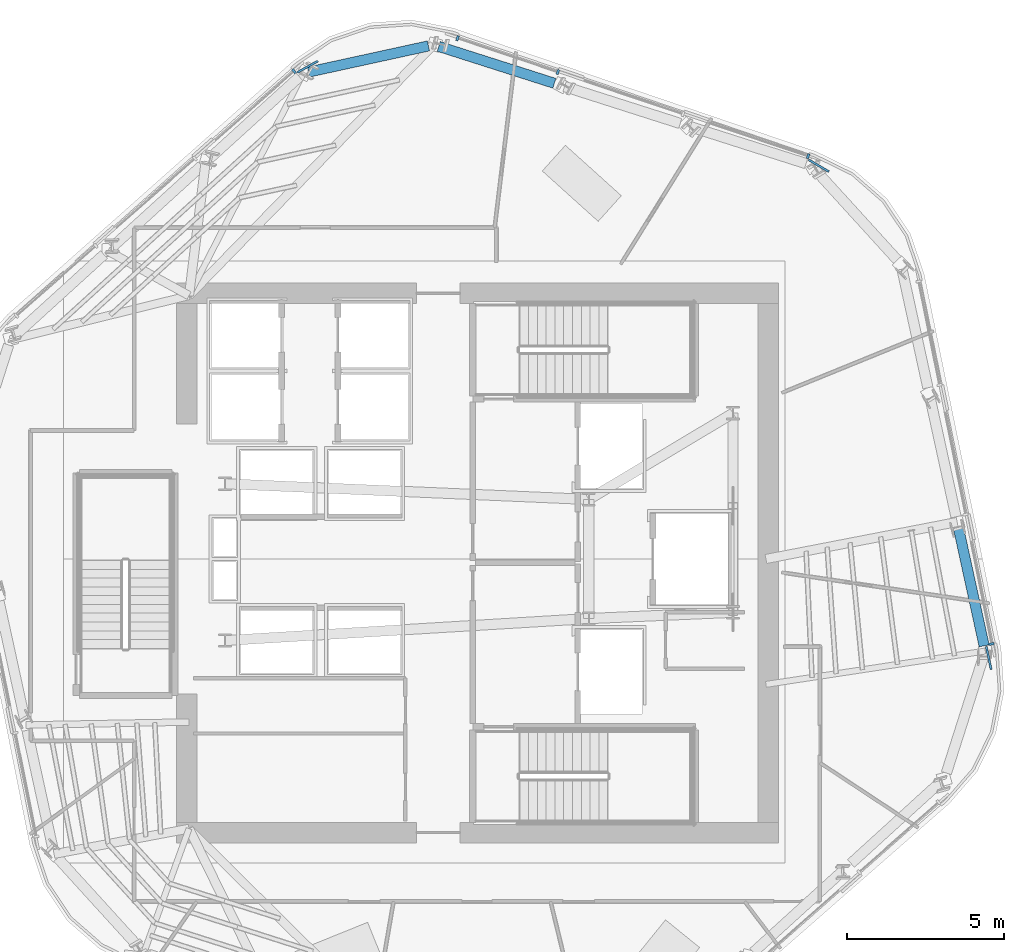
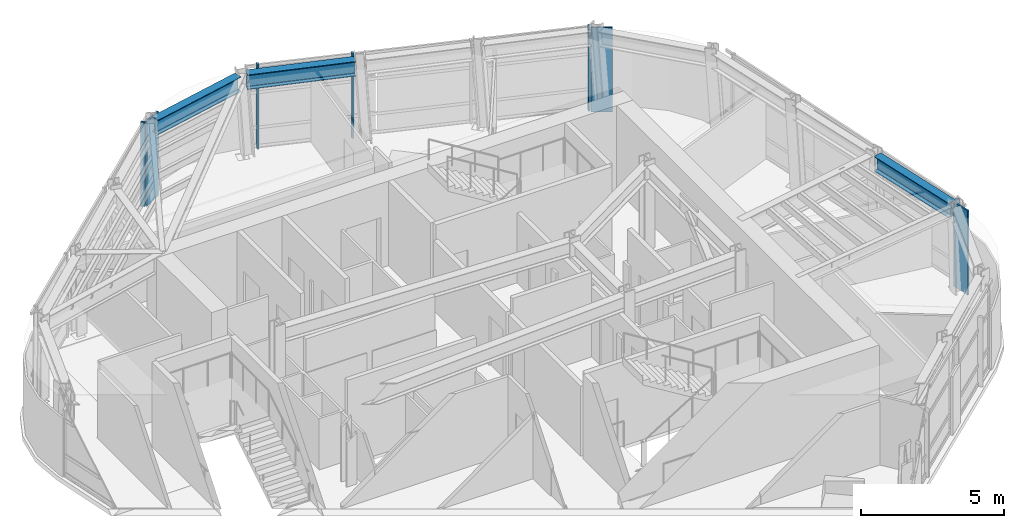
# One storey, part 5 of 15: 8 members, 3 beams, 3 elements without a shape of their own.
"""IFC4 building model written with IfcOpenShell, lengths in metres."""

from ifc_helpers import new_model, si_unit, direction, frame, origin, origin_2d, place, context, subcontext, project, spatial, rectangle, i_section, extrude, material, layer, layer_set, material_profile, profile_set, type_object, element, aggregate, save


model = new_model("IFC4")

# Units and contexts
model_context = context("Model", 3, precision=1e-05, world=origin(), true_north=direction((0.0, 1.0)))
body_context = subcontext(model_context, "Body", "Model", "MODEL_VIEW")
ifc_project = project(units=[si_unit("LENGTHUNIT", "METRE"), si_unit("AREAUNIT", "SQUARE_METRE"), si_unit("VOLUMEUNIT", "CUBIC_METRE"), si_unit("PLANEANGLEUNIT", "RADIAN"), si_unit("MASSUNIT", "GRAM", prefix="KILO")], contexts=[model_context])

# Site, building, storey
site_placement = place(None, origin())
site = spatial("IfcSite", under=ifc_project, at=site_placement, CompositionType="ELEMENT")
building_placement = place(site_placement, origin())
building = spatial("IfcBuilding", under=site, at=building_placement, Name="Valkerne Bourse Tower", CompositionType="ELEMENT")
storey_placement = place(building_placement, frame((0.0, 0.0, 201.800048828125)))
storey = spatial("IfcBuildingStorey", under=building, at=storey_placement, Name="L51", CompositionType="ELEMENT", Elevation=201.800048828125)

# Beams
ifc_material_1 = material(Name="Steel ASTM A992", Category="steel")
ifc_material_profile_1 = material_profile(ifc_material_1, i_section(OverallWidth=0.32763671875, OverallDepth=0.62744140625, WebThickness=0.0166015625, FlangeThickness=0.027587890625, FilletRadius=0.020263671875, at=origin_2d()), Name="W24X146")
ifc_profile_set_1 = profile_set([ifc_material_profile_1], Name="Steel ASTM A992")
beam_type = type_object("IfcBeamType", Name="BM-W24X146", PredefinedType="SPANDREL", material=ifc_profile_set_1)
beam_1_placement = place(storey_placement, frame((49.252685546875, 42.17138671875, 3.2861328125), z_axis=(-0.952677861292, 0.303981730709, 0.0), x_axis=(-0.303981730709, -0.952677861292, 0.0)))
element("IfcBeam", 1, at=beam_1_placement, inside=storey, type_object=beam_type, Name="L51 Hexagonal Spandrel Ring Beam 02", PredefinedType="SPANDREL", context=body_context, shape_type="SweptSolid", body=[
    extrude(i_section(OverallWidth=0.32763671875, OverallDepth=0.62744140625, WebThickness=0.0166015625, FlangeThickness=0.027587890625, FilletRadius=0.020263671875, at=origin_2d()), origin(), (0.0, 0.0, 1.0), 3.8720703125),
])
beam_2_placement = place(storey_placement, frame((45.23583984375, 43.364013671875, 3.2861328125), z_axis=(-0.97704054568, -0.213053448921, 0.0), x_axis=(0.213053448921, -0.97704054568, 0.0)))
element("IfcBeam", 2, at=beam_2_placement, inside=storey, type_object=beam_type, Name="L51 Hexagonal Spandrel Ring Beam 03", PredefinedType="SPANDREL", context=body_context, shape_type="SweptSolid", body=[
    extrude(i_section(OverallWidth=0.32763671875, OverallDepth=0.62744140625, WebThickness=0.0166015625, FlangeThickness=0.027587890625, FilletRadius=0.020263671875, at=origin_2d()), origin(), (0.0, 0.0, 1.0), 3.91552734375),
])
beam_3_placement = place(storey_placement, frame((62.959716796875, 24.23095703125, 3.2861328125), z_axis=(-0.213063109736, 0.977038438993, 0.0), x_axis=(-0.977038438993, -0.213063109736, 0.0)))
element("IfcBeam", 3, at=beam_3_placement, inside=storey, type_object=beam_type, Name="L51 Hexagonal Spandrel Ring Beam 20", PredefinedType="SPANDREL", context=body_context, shape_type="SweptSolid", body=[
    extrude(i_section(OverallWidth=0.32763671875, OverallDepth=0.62744140625, WebThickness=0.0166015625, FlangeThickness=0.027587890625, FilletRadius=0.020263671875, at=origin_2d()), origin(), (0.0, 0.0, 1.0), 3.871826171875),
])

# Curtain wall, members
ifc_material_2 = material(Name="Aluminium AA 6063-T6", Category="aluminium")
ifc_layer = layer(ifc_material_2, 0.239990234375)
ifc_layer_set = layer_set([ifc_layer], Name="Aluminium AA 6063-T6")
curtain_wall_type = type_object("IfcCurtainWallType", Name="CW-04", PredefinedType="NOTDEFINED", material=ifc_layer_set)
curtain_wall_1_placement = place(storey_placement, origin())
curtain_wall_1 = element("IfcCurtainWall", 4, at=curtain_wall_1_placement, inside=storey, type_object=curtain_wall_type, Name="L51 Hexagonal Stick Curtain Wall Face 1", PredefinedType="NOTDEFINED")
ifc_material_profile_2 = material_profile(ifc_material_2, rectangle(XDim=0.074951171875, YDim=0.159912109375, at=origin_2d()), Name="CWM-75X160")
ifc_profile_set_2 = profile_set([ifc_material_profile_2], Name="Aluminium AA 6063-T6")
member_type_1 = type_object("IfcMemberType", Name="CW-MUL-160X75", PredefinedType="MULLION", material=ifc_profile_set_2)
member_1_placement = place(storey_placement, frame((57.34619140625, 39.845947265625, 0.0), z_axis=(0.0, 0.0, 1.0), x_axis=(-0.947765282769, 0.318968601555, 0.0)))
member_1 = element("IfcMember", 5, at=member_1_placement, type_object=member_type_1, Name="CW-L51-F1 Jamb Mullion 00A", PredefinedType="MULLION", context=body_context, shape_type="SweptSolid", body=[
    extrude(rectangle(XDim=0.074951171875, YDim=0.159912109375, at=origin_2d()), origin(), (0.0, 0.0, 1.0), 3.599853515625),
])
member_2_placement = place(storey_placement, frame((49.3623046875, 42.53271484375, 0.0), z_axis=(0.0, 0.0, 1.0), x_axis=(-0.947765282769, 0.318968601555, 0.0)))
member_2 = element("IfcMember", 6, at=member_2_placement, type_object=member_type_1, Name="CW-L51-F1 Jamb Mullion 02A", PredefinedType="MULLION", context=body_context, shape_type="SweptSolid", body=[
    extrude(rectangle(XDim=0.074951171875, YDim=0.159912109375, at=origin_2d()), origin(), (0.0, 0.0, 1.0), 3.599853515625),
])
member_3_placement = place(storey_placement, frame((46.166259765625, 43.6083984375, 0.0), z_axis=(0.0, 0.0, 1.0), x_axis=(-0.947765282769, 0.318968601555, 0.0)))
member_3 = element("IfcMember", 7, at=member_3_placement, type_object=member_type_1, Name="CW-L51-F1 Jamb Mullion 02B", PredefinedType="MULLION", context=body_context, shape_type="SweptSolid", body=[
    extrude(rectangle(XDim=0.074951171875, YDim=0.159912109375, at=origin_2d()), origin(), (0.0, 0.0, 1.0), 3.599853515625),
])
aggregate(curtain_wall_1, [member_1, member_2, member_3])

# Curtain wall, member
curtain_wall_2_placement = place(storey_placement, origin())
curtain_wall_2 = element("IfcCurtainWall", 8, at=curtain_wall_2_placement, inside=storey, type_object=curtain_wall_type, Name="L51 Hexagonal Stick Curtain Wall Face 2", PredefinedType="NOTDEFINED")
member_4_placement = place(storey_placement, frame((40.9482421875, 42.55615234375, 0.0), z_axis=(0.0, 0.0, 1.0), x_axis=(-0.750119777976, -0.661301987513, 0.0)))
member_4 = element("IfcMember", 9, at=member_4_placement, type_object=member_type_1, Name="CW-L51-F2 Jamb Mullion 00A", PredefinedType="MULLION", context=body_context, shape_type="SweptSolid", body=[
    extrude(rectangle(XDim=0.074951171875, YDim=0.159912109375, at=origin_2d()), origin(), (0.0, 0.0, 1.0), 3.599853515625),
])
aggregate(curtain_wall_2, [member_4])

curtain_wall_3_placement = place(storey_placement, origin())
curtain_wall_3 = element("IfcCurtainWall", 10, at=curtain_wall_3_placement, inside=storey, type_object=curtain_wall_type, Name="L51 Hexagonal Stick Curtain Wall Face 6", PredefinedType="NOTDEFINED")
member_5_placement = place(storey_placement, frame((63.197998046875, 24.289794921875, 0.0), z_axis=(0.0, 0.0, 1.0), x_axis=(-0.197649976729, 0.980272659365, 0.0)))
member_5 = element("IfcMember", 11, at=member_5_placement, type_object=member_type_1, Name="CW-L51-F6 Jamb Mullion 00A", PredefinedType="MULLION", context=body_context, shape_type="SweptSolid", body=[
    extrude(rectangle(XDim=0.074951171875, YDim=0.159912109375, at=origin_2d()), origin(), (0.0, 0.0, 1.0), 3.599853515625),
])
aggregate(curtain_wall_3, [member_5])

# Members
ifc_material_3 = material(Name="Bronze Anodised Aluminium AA 6063-T6", Category="aluminium")
ifc_material_profile_3 = material_profile(ifc_material_3, rectangle(XDim=0.06494140625, YDim=0.75, at=origin_2d()), Name="FIN-65X750")
ifc_profile_set_3 = profile_set([ifc_material_profile_3], Name="Bronze Anodised Aluminium AA 6063-T6")
member_type_2 = type_object("IfcMemberType", Name="FIN-SOLAR-650", PredefinedType="USERDEFINED", material=ifc_profile_set_3)
for number, where, z_axis, x_axis, name in (
    (12, (57.686767578125, 39.541259765625, 0.00390625), (0.0, 0.0, 1.0), (0.506939652995, 0.861981547495, 0.0), "L51 Bronze Anodised Solar Fin F1-00"),
    (13, (41.38232421875, 42.698974609375, 0.00390625), (0.0, 0.0, 1.0), (-0.485213181467, 0.874395887759, 0.0), "L51 Bronze Anodised Solar Fin F2-00"),
    (14, (63.1044921875, 23.84228515625, 0.00390625), (0.0, 0.0, 1.0), (0.978463302706, 0.206420845019, 0.0), "L51 Bronze Anodised Solar Fin F6-00"),
):
    element("IfcMember", number, at=place(storey_placement, frame(where, z_axis=z_axis, x_axis=x_axis)), inside=storey, type_object=member_type_2, Name=name, ObjectType="SOLAR_FIN", PredefinedType="USERDEFINED", context=body_context, shape_type="SweptSolid", body=[
        extrude(rectangle(XDim=0.06494140625, YDim=0.75, at=origin_2d()), origin(), (0.0, 0.0, 1.0), 3.592041015625),
    ])

save(model, "model.ifc")
